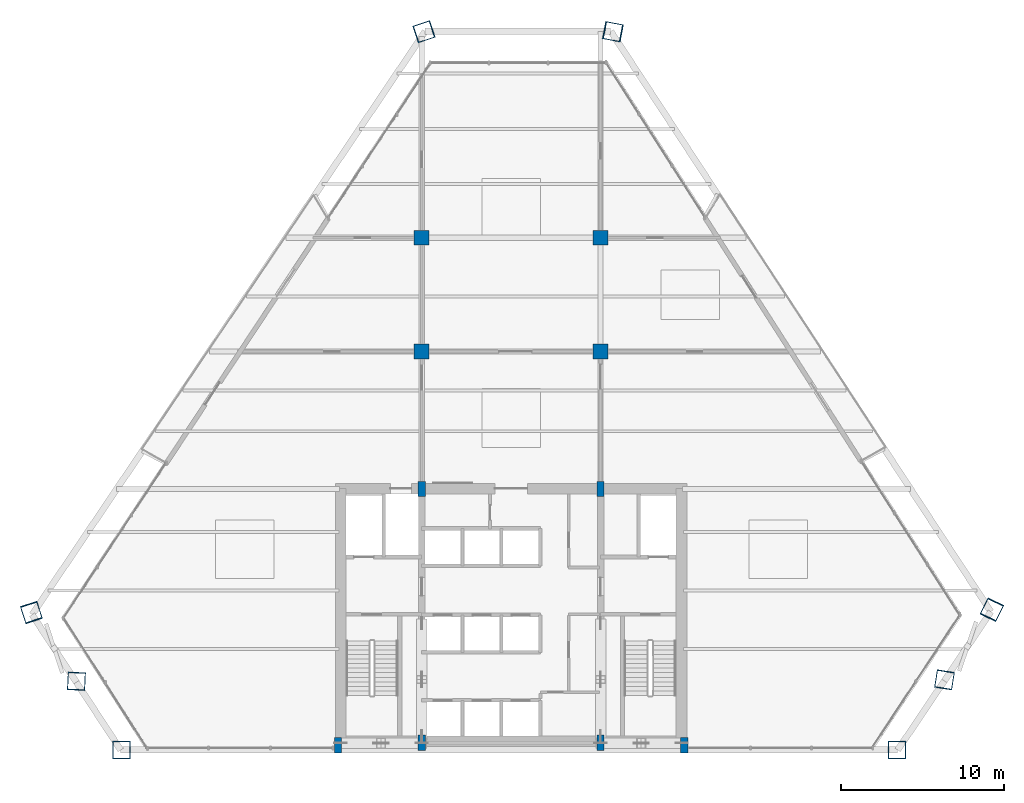
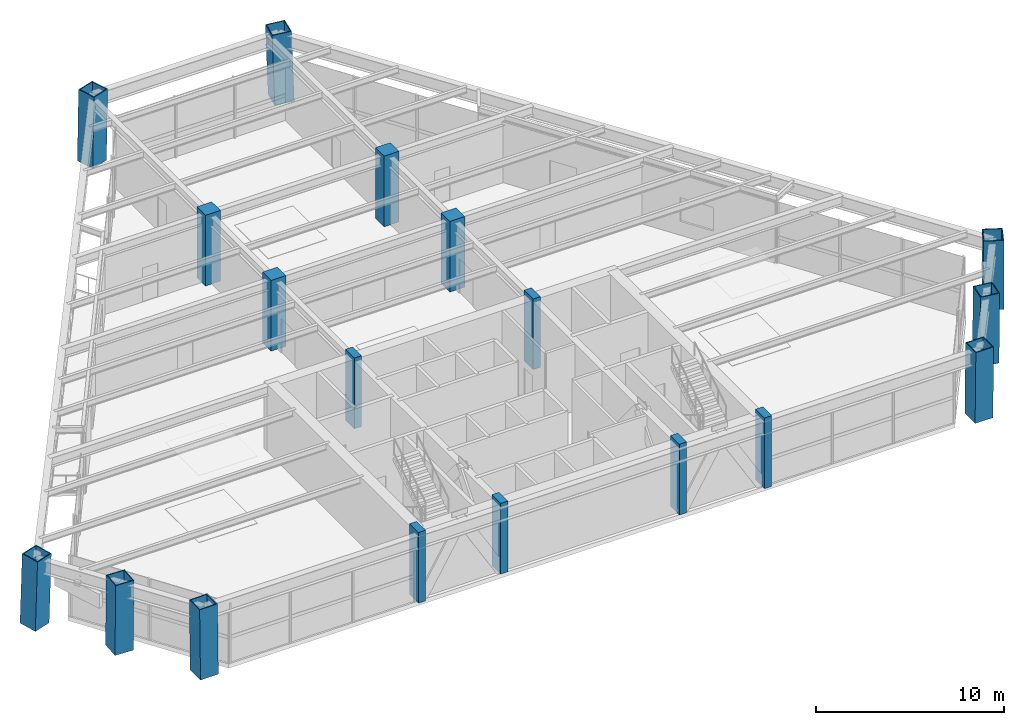
# One storey, part 1 of 12: 18 columns.
"""IFC4 building model written with IfcOpenShell, lengths in metres."""

from ifc_helpers import new_model, si_unit, direction, frame, origin, origin_2d, place, context, subcontext, project, spatial, rectangle, hollow_rectangle, extrude, source, transform, mapped, material, material_profile, profile_set, type_object, type_shapes, element, save


model = new_model("IFC4")

# Units and contexts
model_context = context("Model", 3, precision=1e-05, world=origin(), true_north=direction((0.0, 1.0)))
body_context = subcontext(model_context, "Body", "Model", "MODEL_VIEW")
ifc_project = project(units=[si_unit("LENGTHUNIT", "METRE"), si_unit("AREAUNIT", "SQUARE_METRE"), si_unit("VOLUMEUNIT", "CUBIC_METRE"), si_unit("PLANEANGLEUNIT", "RADIAN"), si_unit("MASSUNIT", "GRAM", prefix="KILO")], contexts=[model_context])

# Site, building, storey
site_placement = place(None, origin())
site = spatial("IfcSite", under=ifc_project, at=site_placement, CompositionType="ELEMENT")
building_placement = place(site_placement, origin())
building = spatial("IfcBuilding", under=site, at=building_placement, Name="Varnakhor Terracotta Tower", CompositionType="ELEMENT")
storey_placement = place(building_placement, frame((0.0, 0.0, 121.0)))
storey = spatial("IfcBuildingStorey", under=building, at=storey_placement, Name="L30", CompositionType="ELEMENT", Elevation=121.0)

# Columns
ifc_material_1 = material(Name="Concrete C50/60", Category="concrete")
ifc_material_profile_1 = material_profile(ifc_material_1, rectangle(XDim=0.449951171875, YDim=0.949951171875, at=origin_2d()), Name="RC PILASTER 950x450")
ifc_profile_set_1 = profile_set([ifc_material_profile_1], Name="Concrete C50/60")
column_type_1 = type_object("IfcColumnType", Name="COL-PIL-950x450", PredefinedType="PILASTER", material=ifc_profile_set_1)
shared_shape_1 = source(origin(), body_context, "Body", "SweptSolid", [
    extrude(rectangle(XDim=0.449951171875, YDim=0.949951171875, at=origin_2d()), origin(), (0.0, 0.0, 1.0), 4.60009765625),
])
for number, where, z_axis, x_axis, name in (
    (1, (-10.64990234375, 0.300048828125, 0.0), (0.0, 0.0, 1.0), (1.0, 0.0, 0.0), "L30 Core Pilaster CP1"),
    (2, (-5.5, 0.449951171875, 0.0), (0.0, 0.0, 1.0), (1.0, 0.0, 0.0), "L30 Core Pilaster CP2"),
    (3, (5.5, 0.449951171875, 0.0), (0.0, 0.0, 1.0), (1.0, 0.0, 0.0), "L30 Core Pilaster CP3"),
    (4, (10.64990234375, 0.300048828125, 0.0), (0.0, 0.0, 1.0), (1.0, 0.0, 0.0), "L30 Core Pilaster CP4"),
    (5, (-5.5, 16.050048828125, 0.0), (0.0, 0.0, 1.0), (1.0, 0.0, 0.0), "L30 Core Pilaster CP5"),
    (6, (5.5, 16.050048828125, 0.0), (0.0, 0.0, 1.0), (1.0, 0.0, 0.0), "L30 Core Pilaster CP6"),
):
    element("IfcColumn", number, at=place(storey_placement, frame(where, z_axis=z_axis, x_axis=x_axis)), inside=storey, type_object=column_type_1, Name=name, PredefinedType="PILASTER", context=body_context, shape_type="MappedRepresentation", body=[
        mapped(shared_shape_1, transform((0.0, 0.0, 0.0), scale=1.0)),
    ])
ifc_material_2 = material(Name="Steel S460", Category="steel")
ifc_material_profile_2 = material_profile(ifc_material_2, hollow_rectangle(XDim=1.10009765625, YDim=1.10009765625, WallThickness=0.054931640625, at=origin_2d()), Name="BOX 1100x1100x55")
ifc_profile_set_2 = profile_set([ifc_material_profile_2], Name="Steel S460")
column_type_2 = type_object("IfcColumnType", Name="COL-MEGA-1100", PredefinedType="COLUMN", material=ifc_profile_set_2)
shared_shape_2 = source(origin(), body_context, "Body", "SweptSolid", [
    extrude(hollow_rectangle(XDim=1.10009765625, YDim=1.10009765625, WallThickness=0.054931640625, at=origin_2d()), origin(), (0.0, 0.0, 1.0), 4.591552734375),
])
type_shapes(column_type_2, [shared_shape_2])
for number, where, z_axis, x_axis, name in (
    (7, (-23.954345703125, 0.0, 0.00439453125), (-0.012335549723, 0.0, 0.999923914212), (0.0, -1.0, 0.0), "L30 Perimeter Mega-Column M1"),
    (8, (23.727783203125, 0.0, 0.00439453125), (0.010102642972, 0.0, 0.999948967), (0.0, 1.0, 0.0), "L30 Perimeter Mega-Column M2"),
):
    element("IfcColumn", number, at=place(storey_placement, frame(where, z_axis=z_axis, x_axis=x_axis)), inside=storey, type_object=column_type_2, Name=name, PredefinedType="COLUMN", context=body_context, shape_type="MappedRepresentation", body=[
        mapped(shared_shape_2, transform((0.0, 0.0, 0.0), scale=1.0)),
    ])
shared_shape_3 = source(origin(), body_context, "Body", "SweptSolid", [
    extrude(hollow_rectangle(XDim=1.10009765625, YDim=1.10009765625, WallThickness=0.054931640625, at=origin_2d()), origin(), (0.0, 0.0, 1.0), 4.591796875),
])
column_1_placement = place(storey_placement, frame((26.65087890625, 4.322509765625, 0.00439453125), z_axis=(-0.002498889233, -0.015631349671, 0.99987470038), x_axis=(0.987461582434, -0.157859504675, 0.0)))
element("IfcColumn", 9, at=column_1_placement, inside=storey, type_object=column_type_2, Name="L30 Perimeter Mega-Column M3", PredefinedType="COLUMN", context=body_context, shape_type="MappedRepresentation", body=[
    mapped(shared_shape_3, transform((0.0, 0.0, 0.0), scale=1.0)),
])
shared_shape_4 = source(origin(), body_context, "Body", "SweptSolid", [
    extrude(hollow_rectangle(XDim=1.10009765625, YDim=1.10009765625, WallThickness=0.054931640625, at=origin_2d()), origin(), (0.0, 0.0, 1.0), 4.593994140625),
])
for number, where, z_axis, x_axis, name in (
    (10, (29.573974609375, 8.644775390625, 0.00439453125), (-0.015145648429, -0.031141578876, 0.999400225835), (0.899284031243, -0.437365100519, 0.0), "L30 Perimeter Mega-Column M4"),
    (11, (6.2802734375, 44.16796875, 0.00439453125), (-0.033798971912, 0.006430307549, 0.999407965069), (-0.186899168839, -0.982379102326, 0.0), "L30 Perimeter Mega-Column M5"),
    (12, (-29.511474609375, 8.474609375, 0.00439453125), (0.010681683813, -0.032895334727, 0.999401720323), (0.951113079114, 0.308842857677, 0.0), "L30 Perimeter Mega-Column M7"),
):
    element("IfcColumn", number, at=place(storey_placement, frame(where, z_axis=z_axis, x_axis=x_axis)), inside=storey, type_object=column_type_2, Name=name, PredefinedType="COLUMN", context=body_context, shape_type="MappedRepresentation", body=[
        mapped(shared_shape_4, transform((0.0, 0.0, 0.0), scale=1.0)),
    ])
shared_shape_5 = source(origin(), body_context, "Body", "SweptSolid", [
    extrude(hollow_rectangle(XDim=1.10009765625, YDim=1.10009765625, WallThickness=0.054931640625, at=origin_2d()), origin(), (0.0, 0.0, 1.0), 4.59228515625),
])
column_2_placement = place(storey_placement, frame((-5.372802734375, 44.16796875, 0.00439453125), z_axis=(0.019564072701, 0.006432752165, 0.999787910889), x_axis=(-0.312352987443, 0.949966110572, 0.0)))
element("IfcColumn", 13, at=column_2_placement, inside=storey, type_object=column_type_2, Name="L30 Perimeter Mega-Column M6", PredefinedType="COLUMN", context=body_context, shape_type="MappedRepresentation", body=[
    mapped(shared_shape_5, transform((0.0, 0.0, 0.0), scale=1.0)),
])
shared_shape_6 = source(origin(), body_context, "Body", "SweptSolid", [
    extrude(hollow_rectangle(XDim=1.10009765625, YDim=1.10009765625, WallThickness=0.054931640625, at=origin_2d()), origin(), (0.0, 0.0, 1.0), 4.592041015625),
])
column_3_placement = place(storey_placement, frame((-26.73291015625, 4.2373046875, 0.00439453125), z_axis=(-0.000797509183, -0.016481856458, 0.999863846925), x_axis=(0.998831396082, -0.048330551423, 0.0)))
element("IfcColumn", 14, at=column_3_placement, inside=storey, type_object=column_type_2, Name="L30 Perimeter Mega-Column M8", PredefinedType="COLUMN", context=body_context, shape_type="MappedRepresentation", body=[
    mapped(shared_shape_6, transform((0.0, 0.0, 0.0), scale=1.0)),
])
ifc_material_profile_3 = material_profile(ifc_material_1, rectangle(XDim=0.919921875, YDim=0.919921875, at=origin_2d()), Name="RC 920x920")
ifc_profile_set_3 = profile_set([ifc_material_profile_3], Name="Concrete C50/60")
column_type_3 = type_object("IfcColumnType", Name="COL-RC-920", PredefinedType="COLUMN", material=ifc_profile_set_3)
shared_shape_7 = source(origin(), body_context, "Body", "SweptSolid", [
    extrude(rectangle(XDim=0.919921875, YDim=0.919921875, at=origin_2d()), origin(), (0.0, 0.0, 1.0), 4.60009765625),
])
type_shapes(column_type_3, [shared_shape_7])
for number, where, z_axis, x_axis, name in (
    (15, (-5.5, 24.5, 0.0), (0.0, 0.0, 1.0), (1.0, 0.0, 0.0), "L30 Interior Tower Column IC1"),
    (16, (5.5, 24.5, 0.0), (0.0, 0.0, 1.0), (1.0, 0.0, 0.0), "L30 Interior Tower Column IC2"),
    (17, (-5.5, 31.5, 0.0), (0.0, 0.0, 1.0), (1.0, 0.0, 0.0), "L30 Interior Tower Column IC3"),
    (18, (5.5, 31.5, 0.0), (0.0, 0.0, 1.0), (1.0, 0.0, 0.0), "L30 Interior Tower Column IC4"),
):
    element("IfcColumn", number, at=place(storey_placement, frame(where, z_axis=z_axis, x_axis=x_axis)), inside=storey, type_object=column_type_3, Name=name, PredefinedType="COLUMN", context=body_context, shape_type="MappedRepresentation", body=[
        mapped(shared_shape_7, transform((0.0, 0.0, 0.0), scale=1.0)),
    ])

save(model, "model.ifc")
